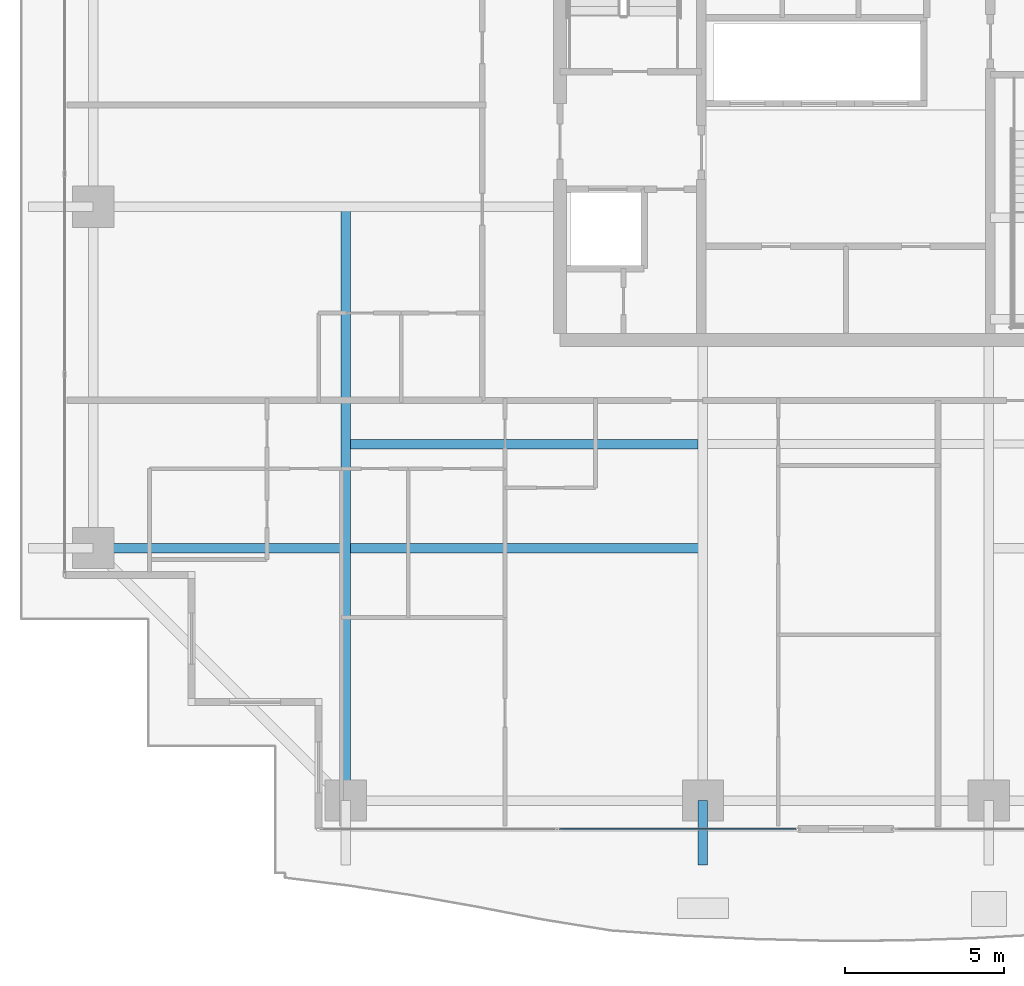
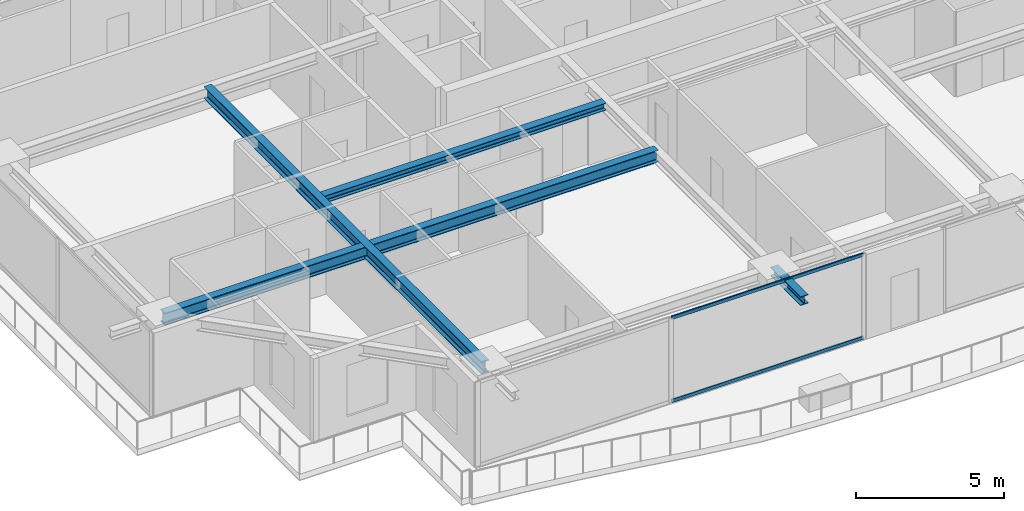
# One storey, part 4 of 38: 4 beams, 2 members, 1 element without a shape of its own.
"""IFC4 building model written with IfcOpenShell, lengths in metres."""

from ifc_helpers import new_model, si_unit, direction, frame, origin, origin_2d, place, context, subcontext, project, spatial, hollow_rectangle, i_section, extrude, source, transform, mapped, material, layer, layer_set, material_profile, profile_set, type_object, element, aggregate, save


model = new_model("IFC4")

# Units and contexts
model_context = context("Model", 3, precision=1e-05, world=origin(), true_north=direction((0.0, 1.0)))
body_context = subcontext(model_context, "Body", "Model", "MODEL_VIEW")
ifc_project = project(units=[si_unit("LENGTHUNIT", "METRE"), si_unit("AREAUNIT", "SQUARE_METRE"), si_unit("VOLUMEUNIT", "CUBIC_METRE"), si_unit("PLANEANGLEUNIT", "RADIAN"), si_unit("MASSUNIT", "GRAM", prefix="KILO")], contexts=[model_context])

# Site, building, storey
site_placement = place(None, origin())
site = spatial("IfcSite", under=ifc_project, at=site_placement, CompositionType="ELEMENT")
building_placement = place(site_placement, origin())
building = spatial("IfcBuilding", under=site, at=building_placement, Name="Serunith Strait Residences", CompositionType="ELEMENT")
storey_placement = place(building_placement, frame((0.0, 0.0, 176.39990234375)))
storey = spatial("IfcBuildingStorey", under=building, at=storey_placement, Name="L44", CompositionType="ELEMENT", Elevation=176.39990234375)

# Beams
ifc_material_1 = material(Name="Steel S355J2", Category="steel")
ifc_material_profile_1 = material_profile(ifc_material_1, i_section(OverallWidth=0.300048828125, OverallDepth=0.5, WebThickness=0.014404296875, FlangeThickness=0.028076171875, FilletRadius=0.027099609375, at=origin_2d()), Name="HEB 500")
ifc_profile_set_1 = profile_set([ifc_material_profile_1], Name="Steel S355J2")
beam_type_1 = type_object("IfcBeamType", Name="BM-HEB500", PredefinedType="BEAM", material=ifc_profile_set_1)
shared_shape_1 = source(origin(), body_context, "Body", "SweptSolid", [
    extrude(i_section(OverallWidth=0.300048828125, OverallDepth=0.5, WebThickness=0.014404296875, FlangeThickness=0.028076171875, FilletRadius=0.027099609375, at=origin_2d()), origin(), (0.0, 0.0, 1.0), 18.699951171875),
])
beam_1_placement = place(storey_placement, frame((16.64990234375, 21.0, 3.237060546875), z_axis=(0.0, -1.0, 0.0), x_axis=(1.0, 0.0, 0.0)))
element("IfcBeam", 1, at=beam_1_placement, inside=storey, type_object=beam_type_1, Name="L44 Orthogonal Corner Girder TC-S1", PredefinedType="BEAM", context=body_context, shape_type="MappedRepresentation", body=[
    mapped(shared_shape_1, transform((0.0, 0.0, 0.0), scale=1.0)),
])
shared_shape_2 = source(origin(), body_context, "Body", "SweptSolid", [
    extrude(i_section(OverallWidth=0.300048828125, OverallDepth=0.5, WebThickness=0.014404296875, FlangeThickness=0.028076171875, FilletRadius=0.027099609375, at=origin_2d()), origin(), (0.0, 0.0, 1.0), 19.199951171875),
])
beam_2_placement = place(storey_placement, frame((27.89990234375, 10.25, 3.237060546875), z_axis=(-1.0, 0.0, 0.0), x_axis=(0.0, -1.0, 0.0)))
element("IfcBeam", 2, at=beam_2_placement, inside=storey, type_object=beam_type_1, Name="L44 Orthogonal Corner Girder TC-W1", PredefinedType="BEAM", context=body_context, shape_type="MappedRepresentation", body=[
    mapped(shared_shape_2, transform((0.0, 0.0, 0.0), scale=1.0)),
])
ifc_material_profile_2 = material_profile(ifc_material_1, i_section(OverallWidth=0.300048828125, OverallDepth=0.360107421875, WebThickness=0.012451171875, FlangeThickness=0.0224609375, FilletRadius=0.027099609375, at=origin_2d()), Name="HEB 360")
ifc_profile_set_2 = profile_set([ifc_material_profile_2], Name="Steel S355J2")
beam_type_2 = type_object("IfcBeamType", Name="BM-HEB360", PredefinedType="BEAM", material=ifc_profile_set_2)
shared_shape_3 = source(origin(), body_context, "Body", "SweptSolid", [
    extrude(i_section(OverallWidth=0.300048828125, OverallDepth=0.360107421875, WebThickness=0.012451171875, FlangeThickness=0.0224609375, FilletRadius=0.027099609375, at=origin_2d()), origin(), (0.0, 0.0, 1.0), 2.030029296875),
])
beam_3_placement = place(storey_placement, frame((27.89990234375, 2.300048828125, 3.277099609375), z_axis=(0.0, -1.0, 0.0), x_axis=(1.0, 0.0, 0.0)))
element("IfcBeam", 3, at=beam_3_placement, inside=storey, type_object=beam_type_2, Name="L45 Cantilevered Balcony Rib TC-S2", PredefinedType="BEAM", context=body_context, shape_type="MappedRepresentation", body=[
    mapped(shared_shape_3, transform((0.0, 0.0, 0.0), scale=1.0)),
])
ifc_material_profile_3 = material_profile(ifc_material_1, i_section(OverallWidth=0.300048828125, OverallDepth=0.300048828125, WebThickness=0.010986328125, FlangeThickness=0.01904296875, FilletRadius=0.027099609375, at=origin_2d()), Name="HEB 300")
ifc_profile_set_3 = profile_set([ifc_material_profile_3], Name="Steel S355J2")
beam_type_3 = type_object("IfcBeamType", Name="BM-HEB300", PredefinedType="JOIST", material=ifc_profile_set_3)
shared_shape_4 = source(origin(), body_context, "Body", "SweptSolid", [
    extrude(i_section(OverallWidth=0.300048828125, OverallDepth=0.300048828125, WebThickness=0.010986328125, FlangeThickness=0.01904296875, FilletRadius=0.027099609375, at=origin_2d()), origin(), (0.0, 0.0, 1.0), 10.949951171875),
])
beam_4_placement = place(storey_placement, frame((16.800048828125, 13.52490234375, 3.337158203125), z_axis=(1.0, 0.0, 0.0), x_axis=(0.0, 1.0, 0.0)))
element("IfcBeam", 4, at=beam_4_placement, inside=storey, type_object=beam_type_3, Name="L44 Composite Floor Joist 01", PredefinedType="JOIST", context=body_context, shape_type="MappedRepresentation", body=[
    mapped(shared_shape_4, transform((0.0, 0.0, 0.0), scale=1.0)),
])

# Curtain wall, members
ifc_material_2 = material(Name="Pale-Champagne Anodised Aluminium", Category="aluminium")
ifc_layer = layer(ifc_material_2, 0.199951171875, Name="Pale-Champagne Anodised Aluminium")
ifc_layer_set = layer_set([ifc_layer], Name="Pale-Champagne Anodised Aluminium")
curtain_wall_type = type_object("IfcCurtainWallType", Name="CW-SYS2", PredefinedType="NOTDEFINED", material=ifc_layer_set)
curtain_wall_placement = place(storey_placement, origin())
curtain_wall = element("IfcCurtainWall", 5, at=curtain_wall_placement, inside=storey, type_object=curtain_wall_type, Name="L44 S Unitised Fritted Curtain Wall", PredefinedType="NOTDEFINED")
ifc_material_profile_4 = material_profile(ifc_material_2, hollow_rectangle(XDim=0.06005859375, YDim=0.139892578125, WallThickness=0.00341796875, InnerFilletRadius=0.00537109375, OuterFilletRadius=0.0087890625, at=origin_2d()), Name="ALU 140x60x3.5")
ifc_profile_set_4 = profile_set([ifc_material_profile_4], Name="Pale-Champagne Anodised Aluminium")
member_type = type_object("IfcMemberType", Name="CW-SYS2-TRAN", PredefinedType="USERDEFINED", material=ifc_profile_set_4)
shared_shape_5 = source(origin(), body_context, "Body", "SweptSolid", [
    extrude(hollow_rectangle(XDim=0.06005859375, YDim=0.139892578125, WallThickness=0.00341796875, InnerFilletRadius=0.00537109375, OuterFilletRadius=0.0087890625, at=origin_2d()), origin(), (0.0, 0.0, 1.0), 7.445068359375),
])
member_1_placement = place(storey_placement, frame((23.385009765625, 1.39990234375, 0.030029296875), z_axis=(1.0, 0.0, 0.0), x_axis=(0.0, 1.0, 0.0)))
member_1 = element("IfcMember", 6, at=member_1_placement, type_object=member_type, Name="CW-2 transom 2.1", ObjectType="TRANSOM", PredefinedType="USERDEFINED", context=body_context, shape_type="MappedRepresentation", body=[
    mapped(shared_shape_5, transform((0.0, 0.0, 0.0), scale=1.0)),
])
member_2_placement = place(storey_placement, frame((23.385009765625, 1.39990234375, 3.445068359375), z_axis=(1.0, 0.0, 0.0), x_axis=(0.0, 1.0, 0.0)))
member_2 = element("IfcMember", 7, at=member_2_placement, type_object=member_type, Name="CW-2 transom 2.2", ObjectType="TRANSOM", PredefinedType="USERDEFINED", context=body_context, shape_type="MappedRepresentation", body=[
    mapped(shared_shape_5, transform((0.0, 0.0, 0.0), scale=1.0)),
])
aggregate(curtain_wall, [member_1, member_2])

save(model, "model.ifc")
